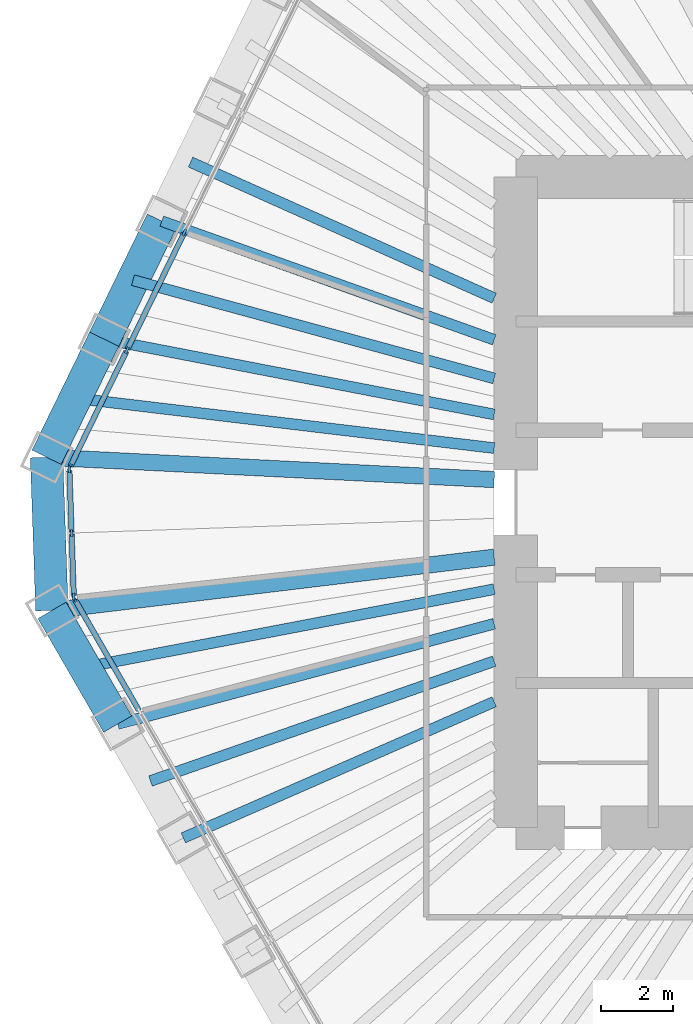
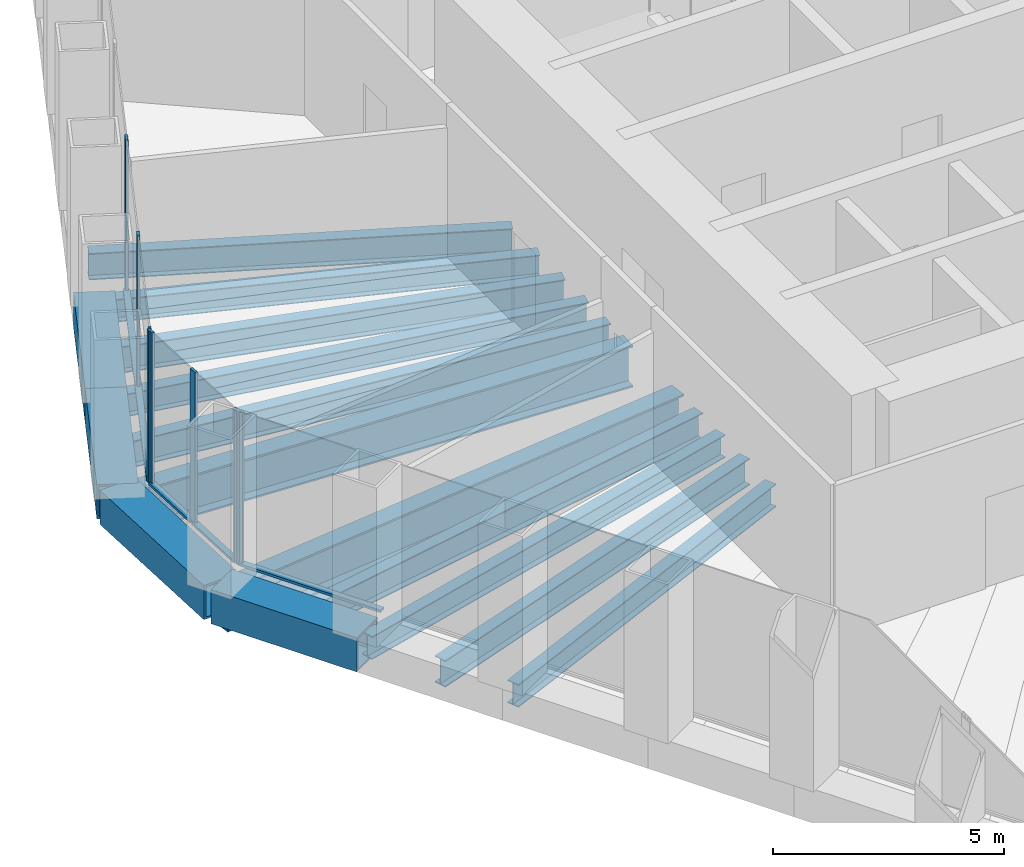
# One storey, part 3 of 14: 15 beams, 12 members, 3 elements without a shape of their own.
"""IFC4 building model written with IfcOpenShell, lengths in metres."""

from ifc_helpers import new_model, si_unit, direction, frame, origin, origin_2d, place, context, subcontext, project, spatial, rectangle, hollow_rectangle, i_section, extrude, material, material_profile, profile_set, type_object, element, aggregate, save


model = new_model("IFC4")

# Units and contexts
model_context = context("Model", 3, precision=1e-05, world=origin(), true_north=direction((0.0, 1.0)))
body_context = subcontext(model_context, "Body", "Model", "MODEL_VIEW")
ifc_project = project(units=[si_unit("LENGTHUNIT", "METRE"), si_unit("AREAUNIT", "SQUARE_METRE"), si_unit("VOLUMEUNIT", "CUBIC_METRE"), si_unit("PLANEANGLEUNIT", "RADIAN"), si_unit("MASSUNIT", "GRAM", prefix="KILO")], contexts=[model_context])

# Site, building, storey
site_placement = place(None, origin())
site = spatial("IfcSite", under=ifc_project, at=site_placement, CompositionType="ELEMENT")
building_placement = place(site_placement, origin())
building = spatial("IfcBuilding", under=site, at=building_placement, Name="Qingtian Harvest Tower", CompositionType="ELEMENT")
storey_placement = place(building_placement, frame((0.0, 0.0, 197.199951171875)))
storey = spatial("IfcBuildingStorey", under=building, at=storey_placement, Name="L42", CompositionType="ELEMENT", Elevation=197.199951171875)

# Beams
ifc_material_1 = material(Name="Steel SM570MC", Category="steel")
ifc_material_profile_1 = material_profile(ifc_material_1, i_section(OverallWidth=0.449951171875, OverallDepth=1.10009765625, WebThickness=0.02197265625, FlangeThickness=0.044921875, at=origin_2d()), Name="H1100x450x22x45")
ifc_profile_set_1 = profile_set([ifc_material_profile_1], Name="Steel SM570MC")
beam_type_1 = type_object("IfcBeamType", Name="Corner floor beam FB8 H1100x450x22x45", PredefinedType="BEAM", material=ifc_profile_set_1)
beam_1_placement = place(storey_placement, frame((-24.833251953125, -2.987548828125, -0.719970703125), z_axis=(0.992841259631, 0.119441337798, 0.0), x_axis=(-0.119441337798, 0.992841259631, 0.0)))
element("IfcBeam", 1, at=beam_1_placement, inside=storey, type_object=beam_type_1, Name="Floor beam FB8 SW6", PredefinedType="BEAM", context=body_context, shape_type="SweptSolid", body=[
    extrude(i_section(OverallWidth=0.449951171875, OverallDepth=1.10009765625, WebThickness=0.02197265625, FlangeThickness=0.044921875, at=origin_2d()), origin(), (0.0, 0.0, 1.0), 12.3212890625),
])
beam_2_placement = place(storey_placement, frame((-24.981201171875, 1.248046875, -0.719970703125), z_axis=(0.998753959075, -0.049905202459, 0.0), x_axis=(0.049905202459, 0.998753959075, 0.0)))
element("IfcBeam", 2, at=beam_2_placement, inside=storey, type_object=beam_type_1, Name="Floor beam FB8 NW0", PredefinedType="BEAM", context=body_context, shape_type="SweptSolid", body=[
    extrude(i_section(OverallWidth=0.449951171875, OverallDepth=1.10009765625, WebThickness=0.02197265625, FlangeThickness=0.044921875, at=origin_2d()), origin(), (0.0, 0.0, 1.0), 12.396484375),
])
ifc_material_2 = material(Name="Steel SN490B", Category="steel")
ifc_material_profile_2 = material_profile(ifc_material_2, i_section(OverallWidth=0.300048828125, OverallDepth=0.60009765625, WebThickness=0.011962890625, FlangeThickness=0.02001953125, at=origin_2d()), Name="H600x300x12x20")
ifc_profile_set_2 = profile_set([ifc_material_profile_2], Name="Steel SN490B")
beam_type_2 = type_object("IfcBeamType", Name="Floor beam FB3 H600x300x12x20", PredefinedType="BEAM", material=ifc_profile_set_2)
beam_3_placement = place(storey_placement, frame((-21.19970703125, -9.281005859375, -0.469970703125), z_axis=(0.916057031544, 0.401048020765, 0.0), x_axis=(-0.401048020765, 0.916057031544, 0.0)))
element("IfcBeam", 3, at=beam_3_placement, inside=storey, type_object=beam_type_2, Name="Floor beam FB3 SW4", PredefinedType="BEAM", context=body_context, shape_type="SweptSolid", body=[
    extrude(i_section(OverallWidth=0.300048828125, OverallDepth=0.60009765625, WebThickness=0.011962890625, FlangeThickness=0.02001953125, at=origin_2d()), origin(), (0.0, 0.0, 1.0), 9.3876953125),
])
beam_4_placement = place(storey_placement, frame((-23.016357421875, -6.13427734375, -0.469970703125), z_axis=(0.966270640629, 0.257528734433, 0.0), x_axis=(-0.257528734433, 0.966270640629, 0.0)))
element("IfcBeam", 4, at=beam_4_placement, inside=storey, type_object=beam_type_2, Name="Floor beam FB3 SW5", PredefinedType="BEAM", context=body_context, shape_type="SweptSolid", body=[
    extrude(i_section(OverallWidth=0.300048828125, OverallDepth=0.60009765625, WebThickness=0.011962890625, FlangeThickness=0.02001953125, at=origin_2d()), origin(), (0.0, 0.0, 1.0), 10.77978515625),
])
beam_5_placement = place(storey_placement, frame((-23.388427734375, 4.513916015625, -0.469970703125), z_axis=(0.981878004162, -0.189514075845, 0.0), x_axis=(0.189514075845, 0.981878004162, 0.0)))
element("IfcBeam", 5, at=beam_5_placement, inside=storey, type_object=beam_type_2, Name="Floor beam FB3 NW1", PredefinedType="BEAM", context=body_context, shape_type="SweptSolid", body=[
    extrude(i_section(OverallWidth=0.300048828125, OverallDepth=0.60009765625, WebThickness=0.011962890625, FlangeThickness=0.02001953125, at=origin_2d()), origin(), (0.0, 0.0, 1.0), 10.987548828125),
])
beam_6_placement = place(storey_placement, frame((-21.79541015625, 7.779541015625, -0.469970703125), z_axis=(0.941800733255, -0.336171650857, 0.0), x_axis=(0.336171650857, 0.941800733255, 0.0)))
element("IfcBeam", 6, at=beam_6_placement, inside=storey, type_object=beam_type_2, Name="Floor beam FB3 NW2", PredefinedType="BEAM", context=body_context, shape_type="SweptSolid", body=[
    extrude(i_section(OverallWidth=0.300048828125, OverallDepth=0.60009765625, WebThickness=0.011962890625, FlangeThickness=0.02001953125, at=origin_2d()), origin(), (0.0, 0.0, 1.0), 9.763427734375),
])
ifc_material_3 = material(Name="Steel SN490B", Category="steel")
ifc_material_profile_3 = material_profile(ifc_material_3, i_section(OverallWidth=0.300048828125, OverallDepth=0.699951171875, WebThickness=0.012939453125, FlangeThickness=0.02392578125, at=origin_2d()), Name="H700x300x13x24")
ifc_profile_set_3 = profile_set([ifc_material_profile_3], Name="Steel SN490B")
beam_type_3 = type_object("IfcBeamType", Name="Floor joist J2 H700x300x13x24", PredefinedType="JOIST", material=ifc_profile_set_3)
beam_7_placement = place(storey_placement, frame((-22.108154296875, -7.707763671875, -0.52001953125), z_axis=(0.944256456951, 0.329210788868, 0.0), x_axis=(-0.329210788868, 0.944256456951, 0.0)))
element("IfcBeam", 7, at=beam_7_placement, inside=storey, type_object=beam_type_3, Name="Floor joist J2 SW4", PredefinedType="JOIST", context=body_context, shape_type="SweptSolid", body=[
    extrude(i_section(OverallWidth=0.300048828125, OverallDepth=0.699951171875, WebThickness=0.012939453125, FlangeThickness=0.02392578125, at=origin_2d()), origin(), (0.0, 0.0, 1.0), 10.0693359375),
])
beam_8_placement = place(storey_placement, frame((-23.9248046875, -4.56103515625, -0.52001953125), z_axis=(0.982309082743, 0.187266830912, 0.0), x_axis=(-0.187266830912, 0.982309082743, 0.0)))
element("IfcBeam", 8, at=beam_8_placement, inside=storey, type_object=beam_type_3, Name="Floor joist J2 SW5", PredefinedType="JOIST", context=body_context, shape_type="SweptSolid", body=[
    extrude(i_section(OverallWidth=0.300048828125, OverallDepth=0.699951171875, WebThickness=0.012939453125, FlangeThickness=0.02392578125, at=origin_2d()), origin(), (0.0, 0.0, 1.0), 11.528564453125),
])
beam_9_placement = place(storey_placement, frame((-24.184814453125, 2.880859375, -0.52001953125), z_axis=(0.992980727423, -0.11827626544, 0.0), x_axis=(0.11827626544, 0.992980727423, 0.0)))
element("IfcBeam", 9, at=beam_9_placement, inside=storey, type_object=beam_type_3, Name="Floor joist J2 NW0", PredefinedType="JOIST", context=body_context, shape_type="SweptSolid", body=[
    extrude(i_section(OverallWidth=0.300048828125, OverallDepth=0.699951171875, WebThickness=0.012939453125, FlangeThickness=0.02392578125, at=origin_2d()), origin(), (0.0, 0.0, 1.0), 11.66650390625),
])
beam_10_placement = place(storey_placement, frame((-22.591796875, 6.146728515625, -0.52001953125), z_axis=(0.964923062728, -0.26253282274, 0.0), x_axis=(0.26253282274, 0.964923062728, 0.0)))
element("IfcBeam", 10, at=beam_10_placement, inside=storey, type_object=beam_type_3, Name="Floor joist J2 NW1", PredefinedType="JOIST", context=body_context, shape_type="SweptSolid", body=[
    extrude(i_section(OverallWidth=0.300048828125, OverallDepth=0.699951171875, WebThickness=0.012939453125, FlangeThickness=0.02392578125, at=origin_2d()), origin(), (0.0, 0.0, 1.0), 10.35498046875),
])
beam_11_placement = place(storey_placement, frame((-20.9990234375, 9.41259765625, -0.52001953125), z_axis=(0.912515128421, -0.409042956671, 0.0), x_axis=(0.409042956671, 0.912515128421, 0.0)))
element("IfcBeam", 11, at=beam_11_placement, inside=storey, type_object=beam_type_3, Name="Floor joist J2 NW2", PredefinedType="JOIST", context=body_context, shape_type="SweptSolid", body=[
    extrude(i_section(OverallWidth=0.300048828125, OverallDepth=0.699951171875, WebThickness=0.012939453125, FlangeThickness=0.02392578125, at=origin_2d()), origin(), (0.0, 0.0, 1.0), 9.2041015625),
])

# Curtain wall, member
ifc_material_4 = material(Name="Bronze-anodised aluminium curtain wall", Category="aluminium")
curtain_wall_type = type_object("IfcCurtainWallType", Name="Curtain wall CW4 office", PredefinedType="USERDEFINED", material=ifc_material_4)
curtain_wall_1_placement = place(storey_placement, origin())
curtain_wall_1 = element("IfcCurtainWall", 12, at=curtain_wall_1_placement, inside=storey, type_object=curtain_wall_type, Name="Curtain wall CW4 L42 SW0-5", ObjectType="RECESSED CURTAIN WALL", PredefinedType="USERDEFINED")
ifc_material_5 = material(Name="Bronze-anodised aluminium mullion", Category="aluminium")
ifc_material_profile_4 = material_profile(ifc_material_5, rectangle(XDim=0.06494140625, YDim=0.199951171875, at=origin_2d()), Name="AL 65x200")
ifc_profile_set_4 = profile_set([ifc_material_profile_4], Name="Bronze-anodised aluminium mullion")
member_type_1 = type_object("IfcMemberType", Name="Mullion CWM 65x200", PredefinedType="MULLION", material=ifc_profile_set_4)
member_1_placement = place(storey_placement, frame((-24.210693359375, -2.665771484375, 0.0), z_axis=(0.0, 0.0, 1.0), x_axis=(-0.866025403784, -0.5, 0.0)))
member_1 = element("IfcMember", 13, at=member_1_placement, type_object=member_type_1, Name="CW4 mullion 7", PredefinedType="MULLION", context=body_context, shape_type="SweptSolid", body=[
    extrude(rectangle(XDim=0.06494140625, YDim=0.199951171875, at=origin_2d()), origin(), (0.0, 0.0, 1.0), 4.030029296875),
])

# Curtain wall, members
curtain_wall_2_placement = place(storey_placement, origin())
curtain_wall_2 = element("IfcCurtainWall", 14, at=curtain_wall_2_placement, inside=storey, type_object=curtain_wall_type, Name="Curtain wall CW4 L42 SWC", ObjectType="RECESSED CURTAIN WALL", PredefinedType="USERDEFINED")
member_2_placement = place(storey_placement, frame((-24.228271484375, -2.60498046875, 0.0), z_axis=(0.0, 0.0, 1.0), x_axis=(-0.999390827019, -0.034899496703, 0.0)))
member_2 = element("IfcMember", 15, at=member_2_placement, type_object=member_type_1, Name="CW4 mullion 1", PredefinedType="MULLION", context=body_context, shape_type="SweptSolid", body=[
    extrude(rectangle(XDim=0.06494140625, YDim=0.199951171875, at=origin_2d()), origin(), (0.0, 0.0, 1.0), 4.030029296875),
])
member_3_placement = place(storey_placement, frame((-24.28955078125, -0.84814453125, 0.0), z_axis=(0.0, 0.0, 1.0), x_axis=(-0.999390827019, -0.034899496703, 0.0)))
member_3 = element("IfcMember", 16, at=member_3_placement, type_object=member_type_1, Name="CW4 mullion 2", PredefinedType="MULLION", context=body_context, shape_type="SweptSolid", body=[
    extrude(rectangle(XDim=0.06494140625, YDim=0.199951171875, at=origin_2d()), origin(), (0.0, 0.0, 1.0), 4.030029296875),
])
member_4_placement = place(storey_placement, frame((-24.350830078125, 0.90869140625, 0.0), z_axis=(0.0, 0.0, 1.0), x_axis=(-0.999390827019, -0.034899496703, 0.0)))
member_4 = element("IfcMember", 17, at=member_4_placement, type_object=member_type_1, Name="CW4 mullion 3", PredefinedType="MULLION", context=body_context, shape_type="SweptSolid", body=[
    extrude(rectangle(XDim=0.06494140625, YDim=0.199951171875, at=origin_2d()), origin(), (0.0, 0.0, 1.0), 4.030029296875),
])

curtain_wall_3_placement = place(storey_placement, origin())
curtain_wall_3 = element("IfcCurtainWall", 18, at=curtain_wall_3_placement, inside=storey, type_object=curtain_wall_type, Name="Curtain wall CW4 L42 NW0-5", ObjectType="RECESSED CURTAIN WALL", PredefinedType="USERDEFINED")
member_5_placement = place(storey_placement, frame((-24.337646484375, 0.970458984375, 0.0), z_axis=(0.0, 0.0, 1.0), x_axis=(-0.898794046299, 0.438371146789, 0.0)))
member_5 = element("IfcMember", 19, at=member_5_placement, type_object=member_type_1, Name="CW4 mullion 1", PredefinedType="MULLION", context=body_context, shape_type="SweptSolid", body=[
    extrude(rectangle(XDim=0.06494140625, YDim=0.199951171875, at=origin_2d()), origin(), (0.0, 0.0, 1.0), 4.030029296875),
])
member_6_placement = place(storey_placement, frame((-22.759033203125, 4.20703125, 0.0), z_axis=(0.0, 0.0, 1.0), x_axis=(-0.898794046299, 0.438371146789, 0.0)))
member_6 = element("IfcMember", 20, at=member_6_placement, type_object=member_type_1, Name="CW4 mullion 2", PredefinedType="MULLION", context=body_context, shape_type="SweptSolid", body=[
    extrude(rectangle(XDim=0.06494140625, YDim=0.199951171875, at=origin_2d()), origin(), (0.0, 0.0, 1.0), 4.030029296875),
])
member_7_placement = place(storey_placement, frame((-21.166259765625, 7.47265625, 0.0), z_axis=(0.0, 0.0, 1.0), x_axis=(-0.898794046299, 0.438371146789, 0.0)))
member_7 = element("IfcMember", 21, at=member_7_placement, type_object=member_type_1, Name="CW4 mullion 3", PredefinedType="MULLION", context=body_context, shape_type="SweptSolid", body=[
    extrude(rectangle(XDim=0.06494140625, YDim=0.199951171875, at=origin_2d()), origin(), (0.0, 0.0, 1.0), 4.030029296875),
])

# Beams
ifc_material_6 = material(Name="Steel SM570MC", Category="steel")
ifc_material_profile_5 = material_profile(ifc_material_6, hollow_rectangle(XDim=0.89990234375, YDim=0.89990234375, WallThickness=0.050048828125, at=origin_2d()), Name="BOX900x900x50")
ifc_profile_set_5 = profile_set([ifc_material_profile_5], Name="Steel SM570MC")
beam_type_4 = type_object("IfcBeamType", Name="Transition spandrel SB6 BOX900x900x50", PredefinedType="SPANDREL", material=ifc_profile_set_5)
beam_12_placement = place(storey_placement, frame((-23.016357421875, -6.13427734375, -0.449951171875), z_axis=(-0.500026827678, 0.866009914263, 0.0), x_axis=(-0.866009914263, -0.500026827678, 0.0)))
element("IfcBeam", 22, at=beam_12_placement, inside=storey, type_object=beam_type_4, Name="Spandrel SB6 SW5", PredefinedType="SPANDREL", context=body_context, shape_type="SweptSolid", body=[
    extrude(hollow_rectangle(XDim=0.89990234375, YDim=0.89990234375, WallThickness=0.050048828125, at=origin_2d()), origin(), (0.0, 0.0, 1.0), 3.633544921875),
])
beam_13_placement = place(storey_placement, frame((-24.833251953125, -2.987548828125, -0.449951171875), z_axis=(-0.034908677553, 0.999390506375, 0.0), x_axis=(-0.999390506375, -0.034908677553, 0.0)))
element("IfcBeam", 23, at=beam_13_placement, inside=storey, type_object=beam_type_4, Name="Spandrel SB6 SWC", PredefinedType="SPANDREL", context=body_context, shape_type="SweptSolid", body=[
    extrude(hollow_rectangle(XDim=0.89990234375, YDim=0.89990234375, WallThickness=0.050048828125, at=origin_2d()), origin(), (0.0, 0.0, 1.0), 4.23828125),
])
for number, where, z_axis, x_axis, name in (
    (24, (-24.981201171875, 1.248046875, -0.449951171875), (0.438349498419, 0.898804604592, 0.0), (-0.898804604592, 0.438349498419, 0.0), "Spandrel SB6 NW0"),
    (25, (-23.388427734375, 4.513916015625, -0.449951171875), (0.438430251153, 0.898765216769, 0.0), (-0.898765216769, 0.438430251153, 0.0), "Spandrel SB6 NW1"),
):
    element("IfcBeam", number, at=place(storey_placement, frame(where, z_axis=z_axis, x_axis=x_axis)), inside=storey, type_object=beam_type_4, Name=name, PredefinedType="SPANDREL", context=body_context, shape_type="SweptSolid", body=[
        extrude(hollow_rectangle(XDim=0.89990234375, YDim=0.89990234375, WallThickness=0.050048828125, at=origin_2d()), origin(), (0.0, 0.0, 1.0), 3.633544921875),
    ])

# Member
ifc_material_7 = material(Name="Bronze-anodised aluminium transom", Category="aluminium")
ifc_material_profile_6 = material_profile(ifc_material_7, rectangle(XDim=0.14990234375, YDim=0.06494140625, at=origin_2d()), Name="AL 65x150")
ifc_profile_set_6 = profile_set([ifc_material_profile_6], Name="Bronze-anodised aluminium transom")
member_type_2 = type_object("IfcMemberType", Name="Transom CWT 65x150", PredefinedType="USERDEFINED", material=ifc_profile_set_6)
member_8_placement = place(storey_placement, frame((-22.426513671875, -5.756103515625, 0.032470703125), z_axis=(-0.500015305566, 0.866016566931, 0.0), x_axis=(-0.866016566931, -0.500015305566, 0.0)))
member_8 = element("IfcMember", 26, at=member_8_placement, type_object=member_type_2, Name="CW4 transom 6.1", ObjectType="TRANSOM", PredefinedType="USERDEFINED", context=body_context, shape_type="SweptSolid", body=[
    extrude(rectangle(XDim=0.14990234375, YDim=0.06494140625, at=origin_2d()), origin(), (0.0, 0.0, 1.0), 3.5361328125),
])

aggregate(curtain_wall_1, [member_1, member_8])

member_9_placement = place(storey_placement, frame((-24.229248046875, -2.572509765625, 0.032470703125), z_axis=(-0.034899362377, 0.99939083171, 0.0), x_axis=(-0.99939083171, -0.034899362377, 0.0)))
member_9 = element("IfcMember", 27, at=member_9_placement, type_object=member_type_2, Name="CW4 transom 1.1", ObjectType="TRANSOM", PredefinedType="USERDEFINED", context=body_context, shape_type="SweptSolid", body=[
    extrude(rectangle(XDim=0.14990234375, YDim=0.06494140625, at=origin_2d()), origin(), (0.0, 0.0, 1.0), 1.69287109375),
])

member_10_placement = place(storey_placement, frame((-24.29052734375, -0.815673828125, 0.032470703125), z_axis=(-0.034899362377, 0.99939083171, 0.0), x_axis=(-0.99939083171, -0.034899362377, 0.0)))
member_10 = element("IfcMember", 28, at=member_10_placement, type_object=member_type_2, Name="CW4 transom 2.1", ObjectType="TRANSOM", PredefinedType="USERDEFINED", context=body_context, shape_type="SweptSolid", body=[
    extrude(rectangle(XDim=0.14990234375, YDim=0.06494140625, at=origin_2d()), origin(), (0.0, 0.0, 1.0), 1.69287109375),
])

aggregate(curtain_wall_2, [member_2, member_3, member_4, member_9, member_10])

member_11_placement = place(storey_placement, frame((-24.323486328125, 0.99951171875, 0.032470703125), z_axis=(0.438354255898, 0.898802284341, 0.0), x_axis=(-0.898802284341, 0.438354255898, 0.0)))
member_11 = element("IfcMember", 29, at=member_11_placement, type_object=member_type_2, Name="CW4 transom 1.1", ObjectType="TRANSOM", PredefinedType="USERDEFINED", context=body_context, shape_type="SweptSolid", body=[
    extrude(rectangle(XDim=0.14990234375, YDim=0.06494140625, at=origin_2d()), origin(), (0.0, 0.0, 1.0), 3.5361328125),
])

member_12_placement = place(storey_placement, frame((-22.744873046875, 4.236083984375, 0.032470703125), z_axis=(0.438325233634, 0.89881643819, 0.0), x_axis=(-0.89881643819, 0.438325233634, 0.0)))
member_12 = element("IfcMember", 30, at=member_12_placement, type_object=member_type_2, Name="CW4 transom 2.1", ObjectType="TRANSOM", PredefinedType="USERDEFINED", context=body_context, shape_type="SweptSolid", body=[
    extrude(rectangle(XDim=0.14990234375, YDim=0.06494140625, at=origin_2d()), origin(), (0.0, 0.0, 1.0), 3.568603515625),
])

aggregate(curtain_wall_3, [member_5, member_6, member_7, member_11, member_12])

save(model, "model.ifc")
